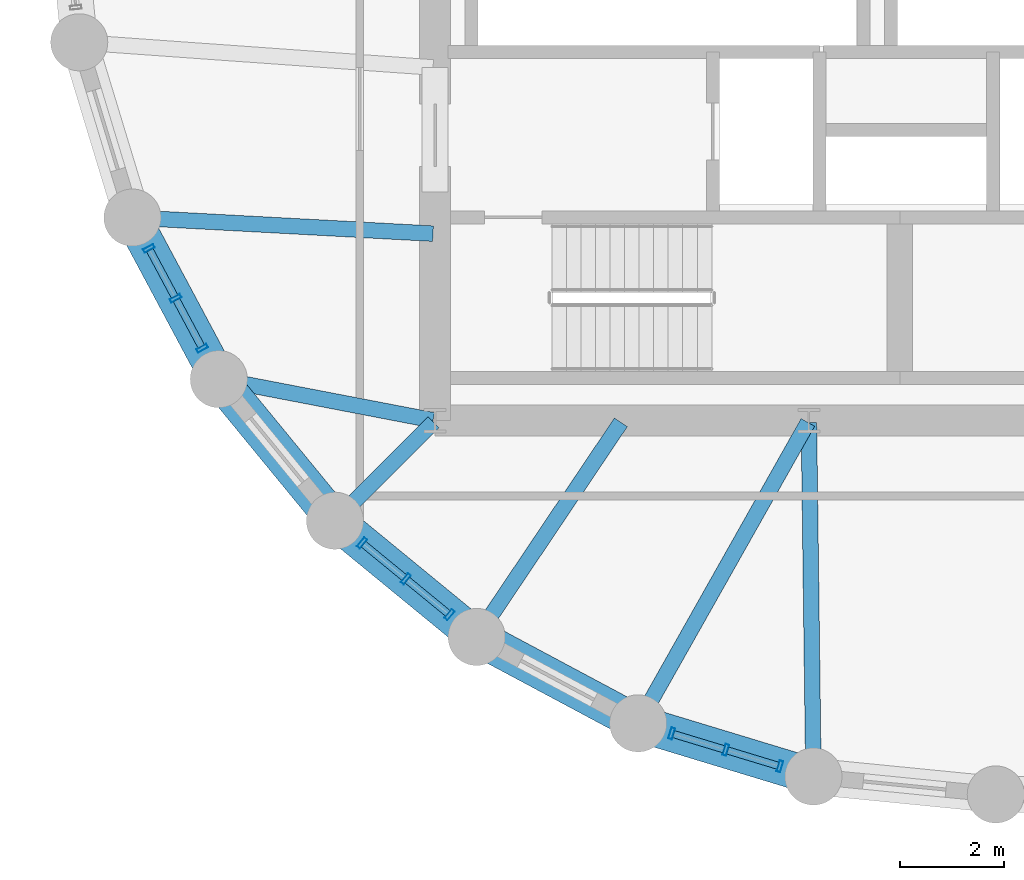
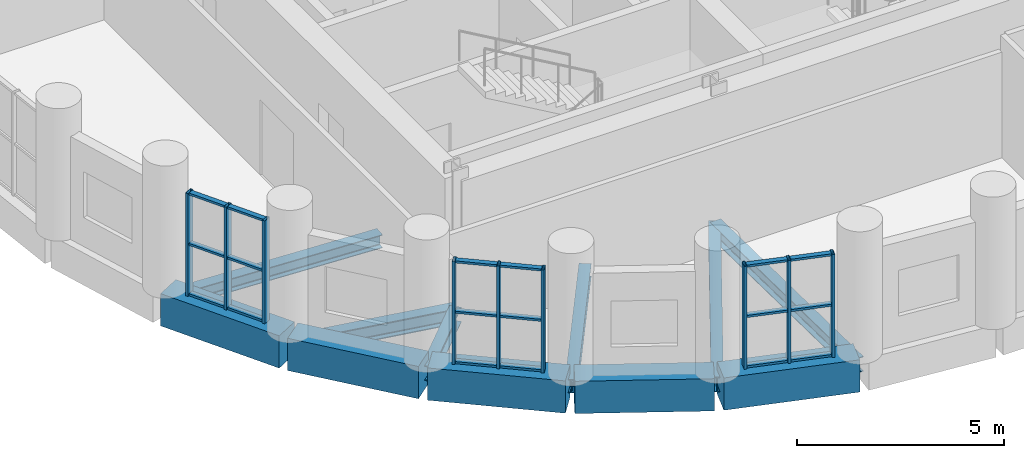
# One storey, part 2 of 13: 27 members, 11 beams, 3 elements without a shape of their own.
"""IFC4 building model written with IfcOpenShell, lengths in metres."""

from ifc_helpers import new_model, si_unit, direction, frame, origin, origin_2d, place, context, subcontext, project, spatial, rectangle, hollow_rectangle, i_section, extrude, material, layer, layer_set, material_profile, profile_set, type_object, element, aggregate, save


model = new_model("IFC4")

# Units and contexts
model_context = context("Model", 3, precision=1e-05, world=origin(), true_north=direction((0.0, 1.0)))
body_context = subcontext(model_context, "Body", "Model", "MODEL_VIEW")
ifc_project = project(units=[si_unit("LENGTHUNIT", "METRE"), si_unit("AREAUNIT", "SQUARE_METRE"), si_unit("VOLUMEUNIT", "CUBIC_METRE"), si_unit("PLANEANGLEUNIT", "RADIAN"), si_unit("MASSUNIT", "GRAM", prefix="KILO")], contexts=[model_context])

# Site, building, storey
site_placement = place(None, origin())
site = spatial("IfcSite", under=ifc_project, at=site_placement, CompositionType="ELEMENT")
building_placement = place(site_placement, origin())
building = spatial("IfcBuilding", under=site, at=building_placement, Name="Solnavia Interchange Tower", CompositionType="ELEMENT")
storey_placement = place(building_placement, frame((0.0, 0.0, 111.300048828125)))
storey = spatial("IfcBuildingStorey", under=building, at=storey_placement, Name="L27", CompositionType="ELEMENT", Elevation=111.300048828125)

# Beams
ifc_material_1 = material(Name="Steel S460", Category="steel")
ifc_material_profile_1 = material_profile(ifc_material_1, i_section(OverallWidth=0.300048828125, OverallDepth=0.449951171875, WebThickness=0.013916015625, FlangeThickness=0.02587890625, FilletRadius=0.027099609375, at=origin_2d()), Name="HEB 450")
ifc_profile_set_1 = profile_set([ifc_material_profile_1], Name="Steel S460")
beam_type_1 = type_object("IfcBeamType", Name="Beam-Girder-HEB450", PredefinedType="BEAM", material=ifc_profile_set_1)
beam_1_placement = place(storey_placement, frame((10.3125, 11.5849609375, -0.47509765625), z_axis=(0.982057527796, -0.188581579428, 0.0), x_axis=(0.188581579428, 0.982057527796, 0.0)))
element("IfcBeam", 1, at=beam_1_placement, inside=storey, type_object=beam_type_1, Name="GRD-L27-DR22 Drum radial floor girder", PredefinedType="BEAM", context=body_context, shape_type="SweptSolid", body=[
    extrude(i_section(OverallWidth=0.300048828125, OverallDepth=0.449951171875, WebThickness=0.013916015625, FlangeThickness=0.02587890625, FilletRadius=0.027099609375, at=origin_2d()), origin(), (0.0, 0.0, 1.0), 4.1220703125),
])
beam_2_placement = place(storey_placement, frame((18.351318359375, 5.039794921875, -0.47509765625), z_axis=(0.491243158486, 0.871022479182, 0.0), x_axis=(-0.871022479182, 0.491243158486, 0.0)))
element("IfcBeam", 2, at=beam_2_placement, inside=storey, type_object=beam_type_1, Name="GRD-L27-DR25 Drum radial floor girder", PredefinedType="BEAM", context=body_context, shape_type="SweptSolid", body=[
    extrude(i_section(OverallWidth=0.300048828125, OverallDepth=0.449951171875, WebThickness=0.013916015625, FlangeThickness=0.02587890625, FilletRadius=0.027099609375, at=origin_2d()), origin(), (0.0, 0.0, 1.0), 6.5732421875),
])
ifc_material_2 = material(Name="Steel S355", Category="steel")
ifc_material_profile_2 = material_profile(ifc_material_2, i_section(OverallWidth=0.300048828125, OverallDepth=0.389892578125, WebThickness=0.010986328125, FlangeThickness=0.01904296875, FilletRadius=0.027099609375, at=origin_2d()), Name="HEA 400")
ifc_profile_set_2 = profile_set([ifc_material_profile_2], Name="Steel S355")
beam_type_2 = type_object("IfcBeamType", Name="Beam-Primary-HEA400", PredefinedType="BEAM", material=ifc_profile_set_2)
beam_3_placement = place(storey_placement, frame((8.64990234375, 14.707763671875, -0.445068359375), z_axis=(0.998570371303, -0.053452909696, 0.0), x_axis=(0.053452909696, 0.998570371303, 0.0)))
element("IfcBeam", 3, at=beam_3_placement, inside=storey, type_object=beam_type_2, Name="GRD-L27-DR21 Drum radial floor girder", PredefinedType="BEAM", context=body_context, shape_type="SweptSolid", body=[
    extrude(i_section(OverallWidth=0.300048828125, OverallDepth=0.389892578125, WebThickness=0.010986328125, FlangeThickness=0.01904296875, FilletRadius=0.027099609375, at=origin_2d()), origin(), (0.0, 0.0, 1.0), 5.71826171875),
])
beam_4_placement = place(storey_placement, frame((15.24462890625, 6.700439453125, -0.445068359375), z_axis=(0.557835474219, 0.829951555033, 0.0), x_axis=(-0.829951555033, 0.557835474219, 0.0)))
element("IfcBeam", 4, at=beam_4_placement, inside=storey, type_object=beam_type_2, Name="GRD-L27-DR24 Drum radial floor girder", PredefinedType="BEAM", context=body_context, shape_type="SweptSolid", body=[
    extrude(i_section(OverallWidth=0.300048828125, OverallDepth=0.389892578125, WebThickness=0.010986328125, FlangeThickness=0.01904296875, FilletRadius=0.027099609375, at=origin_2d()), origin(), (0.0, 0.0, 1.0), 4.899658203125),
])
ifc_material_profile_3 = material_profile(ifc_material_2, i_section(OverallWidth=0.300048828125, OverallDepth=0.43994140625, WebThickness=0.011474609375, FlangeThickness=0.02099609375, FilletRadius=0.027099609375, at=origin_2d()), Name="HEA 450")
ifc_profile_set_3 = profile_set([ifc_material_profile_3], Name="Steel S355")
beam_type_3 = type_object("IfcBeamType", Name="Beam-Primary-HEA450", PredefinedType="BEAM", material=ifc_profile_set_3)
beam_5_placement = place(storey_placement, frame((12.528564453125, 8.9287109375, -0.469970703125), z_axis=(0.707106781187, 0.707106781187, 0.0), x_axis=(-0.707106781187, 0.707106781187, 0.0)))
element("IfcBeam", 5, at=beam_5_placement, inside=storey, type_object=beam_type_3, Name="GRD-L27-DR23 Drum radial floor girder", PredefinedType="BEAM", context=body_context, shape_type="SweptSolid", body=[
    extrude(i_section(OverallWidth=0.300048828125, OverallDepth=0.43994140625, WebThickness=0.011474609375, FlangeThickness=0.02099609375, FilletRadius=0.027099609375, at=origin_2d()), origin(), (0.0, 0.0, 1.0), 2.6064453125),
])
beam_6_placement = place(storey_placement, frame((21.68701171875, 4.02587890625, -0.469970703125), z_axis=(-0.01283293513, 0.999917654498, 0.0), x_axis=(-0.999917654498, -0.01283293513, 0.0)))
element("IfcBeam", 6, at=beam_6_placement, inside=storey, type_object=beam_type_3, Name="GRD-L27-DR26 Drum radial floor girder", PredefinedType="BEAM", context=body_context, shape_type="SweptSolid", body=[
    extrude(i_section(OverallWidth=0.300048828125, OverallDepth=0.43994140625, WebThickness=0.011474609375, FlangeThickness=0.02099609375, FilletRadius=0.027099609375, at=origin_2d()), origin(), (0.0, 0.0, 1.0), 6.734619140625),
])
ifc_material_3 = material(Name="Concrete C50/60", Category="concrete")
ifc_material_profile_4 = material_profile(ifc_material_3, rectangle(XDim=0.699951171875, YDim=0.949951171875, at=origin_2d()), Name="RC 700x950")
ifc_profile_set_4 = profile_set([ifc_material_profile_4], Name="Concrete C50/60")
beam_type_4 = type_object("IfcBeamType", Name="Beam-Spandrel-RC700x950", PredefinedType="SPANDREL", material=ifc_profile_set_4)
beam_7_placement = place(storey_placement, frame((8.607666015625, 14.6416015625, -0.47509765625), z_axis=(0.471509422952, -0.881861023102, 0.0), x_axis=(0.881861023102, 0.471509422952, 0.0)))
element("IfcBeam", 7, at=beam_7_placement, inside=storey, type_object=beam_type_4, Name="SPB-L27-03 Framed-tube perimeter spandrel beam", PredefinedType="SPANDREL", context=body_context, shape_type="SweptSolid", body=[
    extrude(rectangle(XDim=0.699951171875, YDim=0.949951171875, at=origin_2d()), origin(), (0.0, 0.0, 1.0), 3.369140625),
])
for number, where, z_axis, x_axis, name in (
    (8, (10.28466796875, 11.5380859375, -0.47509765625), (0.634298841675, -0.773087950656, 0.0), (0.773087950656, 0.634298841675, 0.0), "SPB-L27-04 Framed-tube perimeter spandrel beam"),
    (9, (12.53369140625, 8.8212890625, -0.47509765625), (0.773152644452, -0.634219984214, 0.0), (0.634219984214, 0.773152644452, 0.0), "SPB-L27-05 Framed-tube perimeter spandrel beam"),
):
    element("IfcBeam", number, at=place(storey_placement, frame(where, z_axis=z_axis, x_axis=x_axis)), inside=storey, type_object=beam_type_4, Name=name, PredefinedType="SPANDREL", context=body_context, shape_type="SweptSolid", body=[
        extrude(rectangle(XDim=0.699951171875, YDim=0.949951171875, at=origin_2d()), origin(), (0.0, 0.0, 1.0), 3.36865234375),
    ])
beam_8_placement = place(storey_placement, frame((15.2705078125, 6.59619140625, -0.47509765625), z_axis=(0.881875044348, -0.47148319817, 0.0), x_axis=(0.47148319817, 0.881875044348, 0.0)))
element("IfcBeam", 10, at=beam_8_placement, inside=storey, type_object=beam_type_4, Name="SPB-L27-06 Framed-tube perimeter spandrel beam", PredefinedType="SPANDREL", context=body_context, shape_type="SweptSolid", body=[
    extrude(rectangle(XDim=0.699951171875, YDim=0.949951171875, at=origin_2d()), origin(), (0.0, 0.0, 1.0), 3.368896484375),
])
beam_9_placement = place(storey_placement, frame((18.388671875, 4.94677734375, -0.47509765625), z_axis=(0.956943884494, -0.290272978297, 0.0), x_axis=(0.290272978297, 0.956943884494, 0.0)))
element("IfcBeam", 11, at=beam_9_placement, inside=storey, type_object=beam_type_4, Name="SPB-L27-07 Framed-tube perimeter spandrel beam", PredefinedType="SPANDREL", context=body_context, shape_type="SweptSolid", body=[
    extrude(rectangle(XDim=0.699951171875, YDim=0.949951171875, at=origin_2d()), origin(), (0.0, 0.0, 1.0), 3.36767578125),
])

# Curtain wall, members
ifc_material_4 = material(Name="Aluminium Alloy 6063-T6", Category="aluminium")
ifc_layer = layer(ifc_material_4, 0.239990234375)
ifc_layer_set = layer_set([ifc_layer], Name="Aluminium Alloy 6063-T6")
curtain_wall_type = type_object("IfcCurtainWallType", Name="CurtainWall-Drum-CTW2", PredefinedType="NOTDEFINED", material=ifc_layer_set)
curtain_wall_1_placement = place(storey_placement, origin())
curtain_wall_1 = element("IfcCurtainWall", 12, at=curtain_wall_1_placement, inside=storey, type_object=curtain_wall_type, Name="CTW-L27-D57 CTW-2 curtain wall", PredefinedType="NOTDEFINED")
ifc_material_profile_5 = material_profile(ifc_material_4, hollow_rectangle(XDim=0.074951171875, YDim=0.219970703125, WallThickness=0.0048828125, at=origin_2d()), Name="ALU 220x75x5")
ifc_profile_set_5 = profile_set([ifc_material_profile_5], Name="Aluminium Alloy 6063-T6")
member_type_1 = type_object("IfcMemberType", Name="CW-Mullion-CWM-2", PredefinedType="MULLION", material=ifc_profile_set_5)
member_1_placement = place(storey_placement, frame((8.88818359375, 14.11669921875, 0.0), z_axis=(0.0, 0.0, 1.0), x_axis=(0.471536719402, -0.881846427818, 0.0)))
member_1 = element("IfcMember", 13, at=member_1_placement, type_object=member_type_1, Name="CTW-2 mullion 1", PredefinedType="MULLION", context=body_context, shape_type="SweptSolid", body=[
    extrude(hollow_rectangle(XDim=0.074951171875, YDim=0.219970703125, WallThickness=0.0048828125, at=origin_2d()), origin(), (0.0, 0.0, 1.0), 3.030029296875),
])
member_2_placement = place(storey_placement, frame((9.402099609375, 13.156005859375, 0.0), z_axis=(0.0, 0.0, 1.0), x_axis=(0.471536719402, -0.881846427818, 0.0)))
member_2 = element("IfcMember", 14, at=member_2_placement, type_object=member_type_1, Name="CTW-2 mullion 2", PredefinedType="MULLION", context=body_context, shape_type="SweptSolid", body=[
    extrude(hollow_rectangle(XDim=0.074951171875, YDim=0.219970703125, WallThickness=0.0048828125, at=origin_2d()), origin(), (0.0, 0.0, 1.0), 3.030029296875),
])
member_3_placement = place(storey_placement, frame((9.915771484375, 12.1953125, 0.0), z_axis=(0.0, 0.0, 1.0), x_axis=(0.471536719402, -0.881846427818, 0.0)))
member_3 = element("IfcMember", 15, at=member_3_placement, type_object=member_type_1, Name="CTW-2 mullion 3", PredefinedType="MULLION", context=body_context, shape_type="SweptSolid", body=[
    extrude(hollow_rectangle(XDim=0.074951171875, YDim=0.219970703125, WallThickness=0.0048828125, at=origin_2d()), origin(), (0.0, 0.0, 1.0), 3.030029296875),
])

curtain_wall_2_placement = place(storey_placement, origin())
curtain_wall_2 = element("IfcCurtainWall", 16, at=curtain_wall_2_placement, inside=storey, type_object=curtain_wall_type, Name="CTW-L27-D59 CTW-2 curtain wall", PredefinedType="NOTDEFINED")
member_4_placement = place(storey_placement, frame((12.993896484375, 8.44384765625, 0.0), z_axis=(0.0, 0.0, 1.0), x_axis=(0.773094572227, -0.634290771172, 0.0)))
member_4 = element("IfcMember", 17, at=member_4_placement, type_object=member_type_1, Name="CTW-2 mullion 1", PredefinedType="MULLION", context=body_context, shape_type="SweptSolid", body=[
    extrude(hollow_rectangle(XDim=0.074951171875, YDim=0.219970703125, WallThickness=0.0048828125, at=origin_2d()), origin(), (0.0, 0.0, 1.0), 3.030029296875),
])
member_5_placement = place(storey_placement, frame((13.8359375, 7.7529296875, 0.0), z_axis=(0.0, 0.0, 1.0), x_axis=(0.773094572227, -0.634290771172, 0.0)))
member_5 = element("IfcMember", 18, at=member_5_placement, type_object=member_type_1, Name="CTW-2 mullion 2", PredefinedType="MULLION", context=body_context, shape_type="SweptSolid", body=[
    extrude(hollow_rectangle(XDim=0.074951171875, YDim=0.219970703125, WallThickness=0.0048828125, at=origin_2d()), origin(), (0.0, 0.0, 1.0), 3.030029296875),
])
member_6_placement = place(storey_placement, frame((14.67822265625, 7.06201171875, 0.0), z_axis=(0.0, 0.0, 1.0), x_axis=(0.773094572227, -0.634290771172, 0.0)))
member_6 = element("IfcMember", 19, at=member_6_placement, type_object=member_type_1, Name="CTW-2 mullion 3", PredefinedType="MULLION", context=body_context, shape_type="SweptSolid", body=[
    extrude(hollow_rectangle(XDim=0.074951171875, YDim=0.219970703125, WallThickness=0.0048828125, at=origin_2d()), origin(), (0.0, 0.0, 1.0), 3.030029296875),
])

curtain_wall_3_placement = place(storey_placement, origin())
curtain_wall_3 = element("IfcCurtainWall", 20, at=curtain_wall_3_placement, inside=storey, type_object=curtain_wall_type, Name="CTW-L27-D61 CTW-2 curtain wall", PredefinedType="NOTDEFINED")
member_7_placement = place(storey_placement, frame((18.9580078125, 4.774169921875, 0.0), z_axis=(0.0, 0.0, 1.0), x_axis=(0.956934759739, -0.290303058206, 0.0)))
member_7 = element("IfcMember", 21, at=member_7_placement, type_object=member_type_1, Name="CTW-2 mullion 1", PredefinedType="MULLION", context=body_context, shape_type="SweptSolid", body=[
    extrude(hollow_rectangle(XDim=0.074951171875, YDim=0.219970703125, WallThickness=0.0048828125, at=origin_2d()), origin(), (0.0, 0.0, 1.0), 3.030029296875),
])
member_8_placement = place(storey_placement, frame((20.0, 4.4580078125, 0.0), z_axis=(0.0, 0.0, 1.0), x_axis=(0.956934759739, -0.290303058206, 0.0)))
member_8 = element("IfcMember", 22, at=member_8_placement, type_object=member_type_1, Name="CTW-2 mullion 2", PredefinedType="MULLION", context=body_context, shape_type="SweptSolid", body=[
    extrude(hollow_rectangle(XDim=0.074951171875, YDim=0.219970703125, WallThickness=0.0048828125, at=origin_2d()), origin(), (0.0, 0.0, 1.0), 3.030029296875),
])
member_9_placement = place(storey_placement, frame((21.0419921875, 4.141845703125, 0.0), z_axis=(0.0, 0.0, 1.0), x_axis=(0.956934759739, -0.290303058206, 0.0)))
member_9 = element("IfcMember", 23, at=member_9_placement, type_object=member_type_1, Name="CTW-2 mullion 3", PredefinedType="MULLION", context=body_context, shape_type="SweptSolid", body=[
    extrude(hollow_rectangle(XDim=0.074951171875, YDim=0.219970703125, WallThickness=0.0048828125, at=origin_2d()), origin(), (0.0, 0.0, 1.0), 3.030029296875),
])

# Member
ifc_material_profile_6 = material_profile(ifc_material_4, hollow_rectangle(XDim=0.06494140625, YDim=0.139892578125, WallThickness=0.00390625, at=origin_2d()), Name="ALU 140x65x4")
ifc_profile_set_6 = profile_set([ifc_material_profile_6], Name="Aluminium Alloy 6063-T6")
member_type_2 = type_object("IfcMemberType", Name="CW-Transom-CWT-2", PredefinedType="USERDEFINED", material=ifc_profile_set_6)
member_10_placement = place(storey_placement, frame((8.906005859375, 14.083740234375, 0.032470703125), z_axis=(0.471399859925, -0.88191959501, 0.0), x_axis=(0.0, 0.0, 1.0)))
member_10 = element("IfcMember", 24, at=member_10_placement, type_object=member_type_2, Name="CTW-2 transom 1.1", ObjectType="TRANSOM", PredefinedType="USERDEFINED", context=body_context, shape_type="SweptSolid", body=[
    extrude(hollow_rectangle(XDim=0.06494140625, YDim=0.139892578125, WallThickness=0.00390625, at=origin_2d()), origin(), (0.0, 0.0, 1.0), 1.0146484375),
])

member_11_placement = place(storey_placement, frame((8.906005859375, 14.083740234375, 1.514892578125), z_axis=(0.471399859925, -0.88191959501, 0.0), x_axis=(0.0, 0.0, 1.0)))
member_11 = element("IfcMember", 25, at=member_11_placement, type_object=member_type_2, Name="CTW-2 transom 1.2", ObjectType="TRANSOM", PredefinedType="USERDEFINED", context=body_context, shape_type="SweptSolid", body=[
    extrude(hollow_rectangle(XDim=0.06494140625, YDim=0.139892578125, WallThickness=0.00390625, at=origin_2d()), origin(), (0.0, 0.0, 1.0), 1.0146484375),
])

member_12_placement = place(storey_placement, frame((8.906005859375, 14.083740234375, 2.99755859375), z_axis=(0.471399859925, -0.88191959501, 0.0), x_axis=(0.0, 0.0, 1.0)))
member_12 = element("IfcMember", 26, at=member_12_placement, type_object=member_type_2, Name="CTW-2 transom 1.3", ObjectType="TRANSOM", PredefinedType="USERDEFINED", context=body_context, shape_type="SweptSolid", body=[
    extrude(hollow_rectangle(XDim=0.06494140625, YDim=0.139892578125, WallThickness=0.00390625, at=origin_2d()), origin(), (0.0, 0.0, 1.0), 1.0146484375),
])

member_13_placement = place(storey_placement, frame((9.419677734375, 13.123046875, 0.032470703125), z_axis=(0.471399859925, -0.88191959501, 0.0), x_axis=(0.0, 0.0, 1.0)))
member_13 = element("IfcMember", 27, at=member_13_placement, type_object=member_type_2, Name="CTW-2 transom 2.1", ObjectType="TRANSOM", PredefinedType="USERDEFINED", context=body_context, shape_type="SweptSolid", body=[
    extrude(hollow_rectangle(XDim=0.06494140625, YDim=0.139892578125, WallThickness=0.00390625, at=origin_2d()), origin(), (0.0, 0.0, 1.0), 1.0146484375),
])

member_14_placement = place(storey_placement, frame((9.419677734375, 13.123046875, 1.514892578125), z_axis=(0.471399859925, -0.88191959501, 0.0), x_axis=(0.0, 0.0, 1.0)))
member_14 = element("IfcMember", 28, at=member_14_placement, type_object=member_type_2, Name="CTW-2 transom 2.2", ObjectType="TRANSOM", PredefinedType="USERDEFINED", context=body_context, shape_type="SweptSolid", body=[
    extrude(hollow_rectangle(XDim=0.06494140625, YDim=0.139892578125, WallThickness=0.00390625, at=origin_2d()), origin(), (0.0, 0.0, 1.0), 1.0146484375),
])

member_15_placement = place(storey_placement, frame((9.419677734375, 13.123046875, 2.99755859375), z_axis=(0.471399859925, -0.88191959501, 0.0), x_axis=(0.0, 0.0, 1.0)))
member_15 = element("IfcMember", 29, at=member_15_placement, type_object=member_type_2, Name="CTW-2 transom 2.3", ObjectType="TRANSOM", PredefinedType="USERDEFINED", context=body_context, shape_type="SweptSolid", body=[
    extrude(hollow_rectangle(XDim=0.06494140625, YDim=0.139892578125, WallThickness=0.00390625, at=origin_2d()), origin(), (0.0, 0.0, 1.0), 1.0146484375),
])

aggregate(curtain_wall_1, [member_1, member_2, member_3, member_10, member_11, member_12, member_13, member_14, member_15])

member_16_placement = place(storey_placement, frame((13.02294921875, 8.420166015625, 0.032470703125), z_axis=(0.773130870672, -0.634246526844, 0.0), x_axis=(0.0, 0.0, 1.0)))
member_16 = element("IfcMember", 30, at=member_16_placement, type_object=member_type_2, Name="CTW-2 transom 1.1", ObjectType="TRANSOM", PredefinedType="USERDEFINED", context=body_context, shape_type="SweptSolid", body=[
    extrude(hollow_rectangle(XDim=0.06494140625, YDim=0.139892578125, WallThickness=0.00390625, at=origin_2d()), origin(), (0.0, 0.0, 1.0), 1.014404296875),
])

member_17_placement = place(storey_placement, frame((13.02294921875, 8.420166015625, 1.514892578125), z_axis=(0.773130870672, -0.634246526844, 0.0), x_axis=(0.0, 0.0, 1.0)))
member_17 = element("IfcMember", 31, at=member_17_placement, type_object=member_type_2, Name="CTW-2 transom 1.2", ObjectType="TRANSOM", PredefinedType="USERDEFINED", context=body_context, shape_type="SweptSolid", body=[
    extrude(hollow_rectangle(XDim=0.06494140625, YDim=0.139892578125, WallThickness=0.00390625, at=origin_2d()), origin(), (0.0, 0.0, 1.0), 1.014404296875),
])

member_18_placement = place(storey_placement, frame((13.02294921875, 8.420166015625, 2.99755859375), z_axis=(0.773130870672, -0.634246526844, 0.0), x_axis=(0.0, 0.0, 1.0)))
member_18 = element("IfcMember", 32, at=member_18_placement, type_object=member_type_2, Name="CTW-2 transom 1.3", ObjectType="TRANSOM", PredefinedType="USERDEFINED", context=body_context, shape_type="SweptSolid", body=[
    extrude(hollow_rectangle(XDim=0.06494140625, YDim=0.139892578125, WallThickness=0.00390625, at=origin_2d()), origin(), (0.0, 0.0, 1.0), 1.014404296875),
])

member_19_placement = place(storey_placement, frame((13.864990234375, 7.729248046875, 0.032470703125), z_axis=(0.773130870672, -0.634246526844, 0.0), x_axis=(0.0, 0.0, 1.0)))
member_19 = element("IfcMember", 33, at=member_19_placement, type_object=member_type_2, Name="CTW-2 transom 2.1", ObjectType="TRANSOM", PredefinedType="USERDEFINED", context=body_context, shape_type="SweptSolid", body=[
    extrude(hollow_rectangle(XDim=0.06494140625, YDim=0.139892578125, WallThickness=0.00390625, at=origin_2d()), origin(), (0.0, 0.0, 1.0), 1.014404296875),
])

member_20_placement = place(storey_placement, frame((13.864990234375, 7.729248046875, 1.514892578125), z_axis=(0.773130870672, -0.634246526844, 0.0), x_axis=(0.0, 0.0, 1.0)))
member_20 = element("IfcMember", 34, at=member_20_placement, type_object=member_type_2, Name="CTW-2 transom 2.2", ObjectType="TRANSOM", PredefinedType="USERDEFINED", context=body_context, shape_type="SweptSolid", body=[
    extrude(hollow_rectangle(XDim=0.06494140625, YDim=0.139892578125, WallThickness=0.00390625, at=origin_2d()), origin(), (0.0, 0.0, 1.0), 1.014404296875),
])

member_21_placement = place(storey_placement, frame((13.864990234375, 7.729248046875, 2.99755859375), z_axis=(0.773130870672, -0.634246526844, 0.0), x_axis=(0.0, 0.0, 1.0)))
member_21 = element("IfcMember", 35, at=member_21_placement, type_object=member_type_2, Name="CTW-2 transom 2.3", ObjectType="TRANSOM", PredefinedType="USERDEFINED", context=body_context, shape_type="SweptSolid", body=[
    extrude(hollow_rectangle(XDim=0.06494140625, YDim=0.139892578125, WallThickness=0.00390625, at=origin_2d()), origin(), (0.0, 0.0, 1.0), 1.014404296875),
])

aggregate(curtain_wall_2, [member_4, member_5, member_6, member_16, member_17, member_18, member_19, member_20, member_21])

member_22_placement = place(storey_placement, frame((18.993896484375, 4.76318359375, 0.032470703125), z_axis=(0.956973757237, -0.290174478478, 0.0), x_axis=(0.0, 0.0, 1.0)))
member_22 = element("IfcMember", 36, at=member_22_placement, type_object=member_type_2, Name="CTW-2 transom 1.1", ObjectType="TRANSOM", PredefinedType="USERDEFINED", context=body_context, shape_type="SweptSolid", body=[
    extrude(hollow_rectangle(XDim=0.06494140625, YDim=0.139892578125, WallThickness=0.00390625, at=origin_2d()), origin(), (0.0, 0.0, 1.0), 1.013916015625),
])

member_23_placement = place(storey_placement, frame((18.993896484375, 4.76318359375, 1.514892578125), z_axis=(0.956973757237, -0.290174478478, 0.0), x_axis=(0.0, 0.0, 1.0)))
member_23 = element("IfcMember", 37, at=member_23_placement, type_object=member_type_2, Name="CTW-2 transom 1.2", ObjectType="TRANSOM", PredefinedType="USERDEFINED", context=body_context, shape_type="SweptSolid", body=[
    extrude(hollow_rectangle(XDim=0.06494140625, YDim=0.139892578125, WallThickness=0.00390625, at=origin_2d()), origin(), (0.0, 0.0, 1.0), 1.013916015625),
])

member_24_placement = place(storey_placement, frame((18.993896484375, 4.76318359375, 2.99755859375), z_axis=(0.956973757237, -0.290174478478, 0.0), x_axis=(0.0, 0.0, 1.0)))
member_24 = element("IfcMember", 38, at=member_24_placement, type_object=member_type_2, Name="CTW-2 transom 1.3", ObjectType="TRANSOM", PredefinedType="USERDEFINED", context=body_context, shape_type="SweptSolid", body=[
    extrude(hollow_rectangle(XDim=0.06494140625, YDim=0.139892578125, WallThickness=0.00390625, at=origin_2d()), origin(), (0.0, 0.0, 1.0), 1.013916015625),
])

member_25_placement = place(storey_placement, frame((20.035888671875, 4.447021484375, 0.032470703125), z_axis=(0.956973757237, -0.290174478478, 0.0), x_axis=(0.0, 0.0, 1.0)))
member_25 = element("IfcMember", 39, at=member_25_placement, type_object=member_type_2, Name="CTW-2 transom 2.1", ObjectType="TRANSOM", PredefinedType="USERDEFINED", context=body_context, shape_type="SweptSolid", body=[
    extrude(hollow_rectangle(XDim=0.06494140625, YDim=0.139892578125, WallThickness=0.00390625, at=origin_2d()), origin(), (0.0, 0.0, 1.0), 1.013916015625),
])

member_26_placement = place(storey_placement, frame((20.035888671875, 4.447021484375, 1.514892578125), z_axis=(0.956973757237, -0.290174478478, 0.0), x_axis=(0.0, 0.0, 1.0)))
member_26 = element("IfcMember", 40, at=member_26_placement, type_object=member_type_2, Name="CTW-2 transom 2.2", ObjectType="TRANSOM", PredefinedType="USERDEFINED", context=body_context, shape_type="SweptSolid", body=[
    extrude(hollow_rectangle(XDim=0.06494140625, YDim=0.139892578125, WallThickness=0.00390625, at=origin_2d()), origin(), (0.0, 0.0, 1.0), 1.013916015625),
])

member_27_placement = place(storey_placement, frame((20.035888671875, 4.447021484375, 2.99755859375), z_axis=(0.956973757237, -0.290174478478, 0.0), x_axis=(0.0, 0.0, 1.0)))
member_27 = element("IfcMember", 41, at=member_27_placement, type_object=member_type_2, Name="CTW-2 transom 2.3", ObjectType="TRANSOM", PredefinedType="USERDEFINED", context=body_context, shape_type="SweptSolid", body=[
    extrude(hollow_rectangle(XDim=0.06494140625, YDim=0.139892578125, WallThickness=0.00390625, at=origin_2d()), origin(), (0.0, 0.0, 1.0), 1.013916015625),
])

aggregate(curtain_wall_3, [member_7, member_8, member_9, member_22, member_23, member_24, member_25, member_26, member_27])

save(model, "model.ifc")
